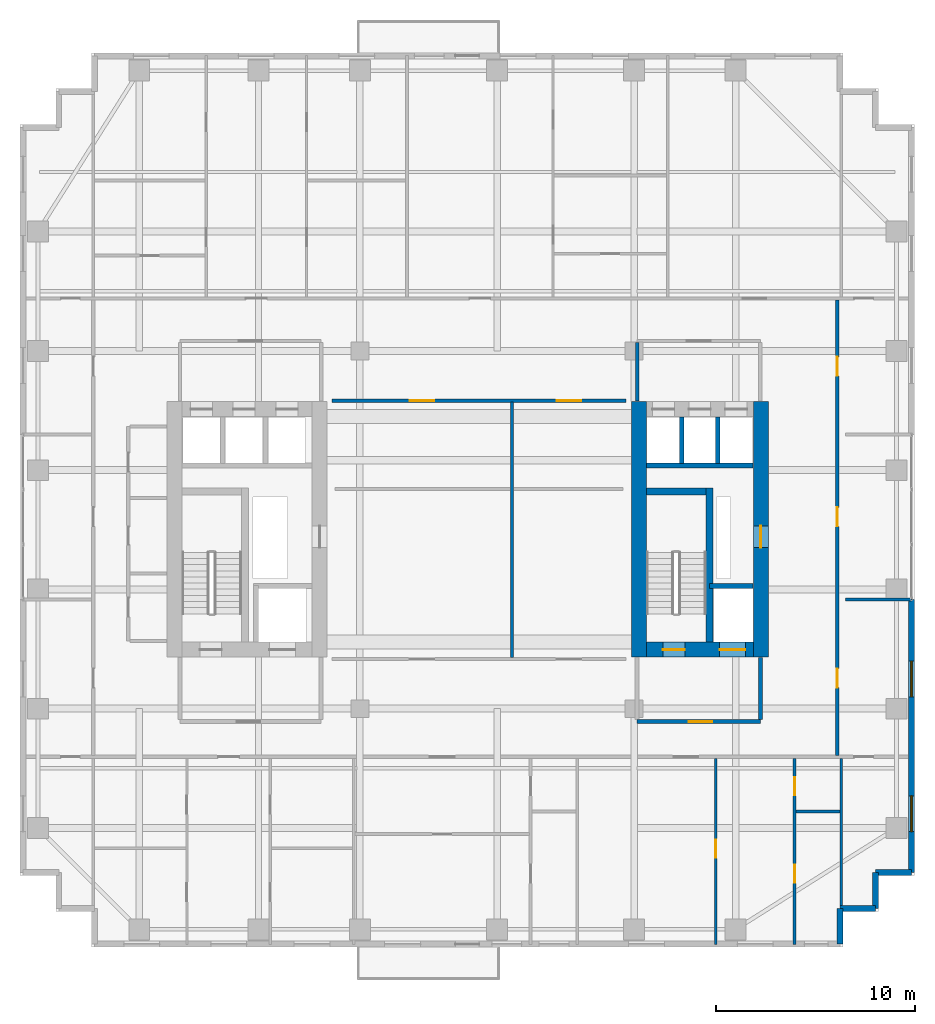
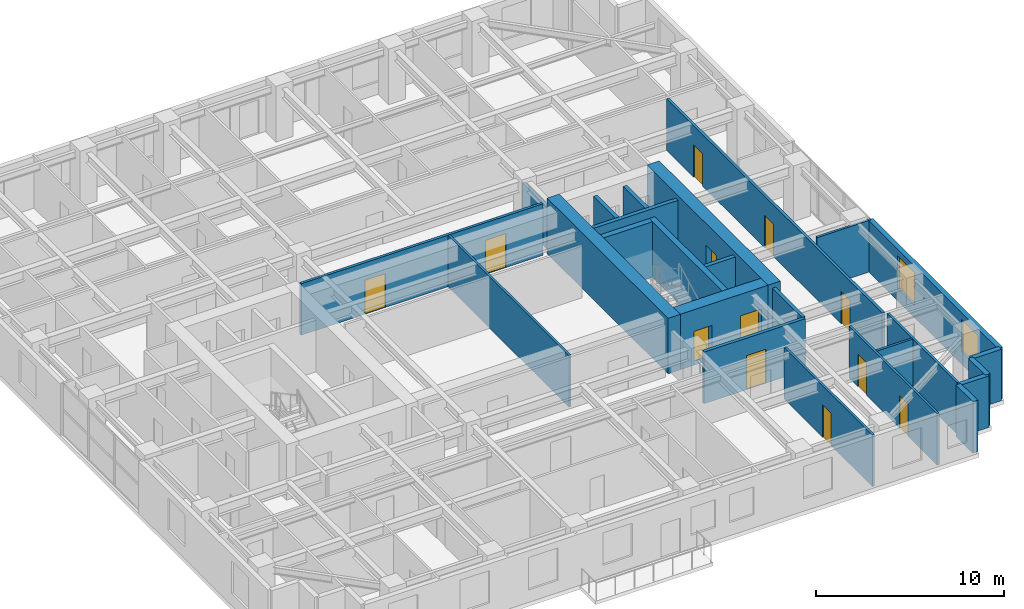
# One storey, part 9 of 13: 25 walls, 12 doors, 2 windows, 14 openings.
"""IFC4 building model written with IfcOpenShell, lengths in metres."""

from ifc_helpers import new_model, si_unit, direction, frame, frame_2d, origin, place, context, subcontext, project, spatial, rectangle, extrude, source, transform, mapped, material, layer, layer_set, type_object, element, fill, save


model = new_model("IFC4")

# Units and contexts
model_context = context("Model", 3, precision=1e-05, world=origin(), true_north=direction((0.0, 1.0)))
body_context = subcontext(model_context, "Body", "Model", "MODEL_VIEW")
ifc_project = project(units=[si_unit("LENGTHUNIT", "METRE"), si_unit("AREAUNIT", "SQUARE_METRE"), si_unit("VOLUMEUNIT", "CUBIC_METRE"), si_unit("PLANEANGLEUNIT", "RADIAN"), si_unit("MASSUNIT", "GRAM", prefix="KILO")], contexts=[model_context])

# Site, building, storey
site_placement = place(None, origin())
site = spatial("IfcSite", under=ifc_project, at=site_placement, CompositionType="ELEMENT")
building_placement = place(site_placement, origin())
building = spatial("IfcBuilding", under=site, at=building_placement, Name="Khoralis Quay Care Tower", CompositionType="ELEMENT")
storey_placement = place(building_placement, frame((0.0, 0.0, 87.300048828125)))
storey = spatial("IfcBuildingStorey", under=building, at=storey_placement, Name="L22", CompositionType="ELEMENT", Elevation=87.300048828125)

# Wall, opening, door
ifc_material_1 = material(Name="Gypsum plasterboard on acoustic metal stud")
ifc_layer_1 = layer(ifc_material_1, 0.199951171875)
ifc_layer_set_1 = layer_set([ifc_layer_1], Name="Gypsum plasterboard on acoustic metal stud")
wall_type_1 = type_object("IfcWallType", Name="WL-COMP-200", PredefinedType="PARTITIONING", material=ifc_layer_set_1)
wall_1_placement = place(storey_placement, frame((31.050048828125, 11.35009765625, 0.0), z_axis=(0.0, 0.0, 1.0), x_axis=(1.0, 0.0, 0.0)))
wall_1 = element("IfcWall", 1, at=wall_1_placement, inside=storey, type_object=wall_type_1, Name="L22 East Firefighting Lobby South Wall", PredefinedType="PARTITIONING", context=body_context, shape_type="SweptSolid", body=[
    extrude(rectangle(XDim=6.199951171875, YDim=0.199951171875, at=frame_2d((3.10009765625, 0.0))), origin(), (0.0, 0.0, 1.0), 3.33984375),
])
opening_1_placement = place(wall_1_placement, frame((2.585693359375, 0.0, 0.0)))
opening_1 = element("IfcOpeningElement", 2, at=opening_1_placement, cuts=wall_1, Name="Opening FD1", PredefinedType="OPENING", context=body_context, shape_type="SweptSolid", body=[
    extrude(rectangle(XDim=1.199951171875, YDim=2.199951171875, at=frame_2d((0.60009765625, 1.10009765625))), frame((0.0, 0.10986328125, 0.0), z_axis=(0.0, -1.0, 0.0), x_axis=(1.0, 0.0, 0.0)), (0.0, 0.0, 1.0), 0.219970703125),
])
ifc_material_2 = material(Name="Fire-rated painted steel", Category="steel")
door_type_1 = type_object("IfcDoorType", Name="DR-FFL-1200X2200", OperationType="NOTDEFINED", PredefinedType="DOOR", material=ifc_material_2)
shared_shape_1 = source(origin(), body_context, "Body", "SweptSolid", [
    extrude(rectangle(XDim=1.199951171875, YDim=2.199951171875, at=frame_2d((0.60009765625, 1.10009765625))), frame((0.0, 0.02490234375, 0.0), z_axis=(0.0, -1.0, 0.0), x_axis=(1.0, 0.0, 0.0)), (0.0, 0.0, 1.0), 0.050048828125),
])
door_1_placement = place(opening_1_placement, origin())
door_1 = element("IfcDoor", 3, at=door_1_placement, inside=storey, type_object=door_type_1, Name="L22 East Firefighting Lobby Fire Door", OperationType="SINGLE_SWING_LEFT", OverallHeight=2.199951171875, OverallWidth=1.199951171875, PredefinedType="DOOR", context=body_context, shape_type="MappedRepresentation", body=[
    mapped(shared_shape_1, transform((0.0, 0.0, 0.0), scale=1.0)),
])
fill(opening_1, door_1)

# Walls
wall_2_placement = place(storey_placement, frame((37.25, 11.445068359375, 0.0), z_axis=(0.0, 0.0, 1.0), x_axis=(0.0, 1.0, 0.0)))
element("IfcWall", 4, at=wall_2_placement, inside=storey, type_object=wall_type_1, Name="L22 East Firefighting Lobby East Wall", PredefinedType="PARTITIONING", context=body_context, shape_type="SweptSolid", body=[
    extrude(rectangle(XDim=3.135009765625, YDim=0.199951171875, at=frame_2d((1.5673828125, 0.0))), origin(), (0.0, 0.0, 1.0), 3.33984375),
])
ifc_material_3 = material(Name="Concrete C80/95", Category="concrete")
ifc_layer_2 = layer(ifc_material_3, 0.75)
ifc_layer_set_2 = layer_set([ifc_layer_2], Name="Concrete C80/95")
wall_type_2 = type_object("IfcWallType", Name="WL-CORE-750", PredefinedType="SHEAR", material=ifc_layer_set_2)
wall_3_placement = place(storey_placement, frame((31.14501953125, 14.60009765625, 0.0), z_axis=(0.0, 0.0, 1.0), x_axis=(0.0, 1.0, 0.0)))
element("IfcWall", 5, at=wall_3_placement, inside=storey, type_object=wall_type_2, Name="L22 ECORE West Shear Wall", PredefinedType="SHEAR", context=body_context, shape_type="SweptSolid", body=[
    extrude(rectangle(XDim=12.849853515625, YDim=0.75, at=frame_2d((6.4248046875, 0.0))), origin(), (0.0, 0.0, 1.0), 3.599853515625),
])

# Wall, opening, door
wall_4_placement = place(storey_placement, frame((37.27490234375, 14.60009765625, 0.0), z_axis=(0.0, 0.0, 1.0), x_axis=(0.0, 1.0, 0.0)))
wall_4 = element("IfcWall", 6, at=wall_4_placement, inside=storey, type_object=wall_type_2, Name="L22 ECORE East Shear Wall", PredefinedType="SHEAR", context=body_context, shape_type="SweptSolid", body=[
    extrude(rectangle(XDim=12.849853515625, YDim=0.75, at=frame_2d((6.4248046875, 0.0))), origin(), (0.0, 0.0, 1.0), 3.599853515625),
])
opening_2_placement = place(wall_4_placement, frame((5.5, 0.0, 0.0)))
opening_2 = element("IfcOpeningElement", 7, at=opening_2_placement, cuts=wall_4, Name="Opening SD1", PredefinedType="OPENING", context=body_context, shape_type="SweptSolid", body=[
    extrude(rectangle(XDim=1.10009765625, YDim=2.199951171875, at=frame_2d((0.550048828125, 1.10009765625))), frame((0.0, 0.385009765625, 0.0), z_axis=(0.0, -1.0, 0.0), x_axis=(1.0, 0.0, 0.0)), (0.0, 0.0, 1.0), 0.77001953125),
])
door_type_2 = type_object("IfcDoorType", Name="DR-STAIR-1100X2200", OperationType="NOTDEFINED", PredefinedType="DOOR", material=ifc_material_2)
shared_shape_2 = source(origin(), body_context, "Body", "SweptSolid", [
    extrude(rectangle(XDim=1.10009765625, YDim=2.199951171875, at=frame_2d((0.550048828125, 1.10009765625))), frame((0.0, 0.02490234375, 0.0), z_axis=(0.0, -1.0, 0.0), x_axis=(1.0, 0.0, 0.0)), (0.0, 0.0, 1.0), 0.050048828125),
])
door_2_placement = place(opening_2_placement, frame((1.10009765625, 0.0, 0.0), z_axis=(0.0, 0.0, 1.0), x_axis=(-1.0, 0.0, 0.0)))
door_2 = element("IfcDoor", 8, at=door_2_placement, inside=storey, type_object=door_type_2, Name="L22 East MEP Riser Door", OperationType="SINGLE_SWING_LEFT", OverallHeight=2.199951171875, OverallWidth=1.10009765625, PredefinedType="DOOR", context=body_context, shape_type="MappedRepresentation", body=[
    mapped(shared_shape_2, transform((0.0, 0.0, 0.0), scale=1.0)),
])
fill(opening_2, door_2)

# Wall, openings, doors
wall_5_placement = place(storey_placement, frame((31.52001953125, 14.97509765625, 0.0), z_axis=(0.0, 0.0, 1.0), x_axis=(1.0, 0.0, 0.0)))
wall_5 = element("IfcWall", 9, at=wall_5_placement, inside=storey, type_object=wall_type_2, Name="L22 ECORE South Shear Wall", PredefinedType="SHEAR", context=body_context, shape_type="SweptSolid", body=[
    extrude(rectangle(XDim=5.3798828125, YDim=0.75, at=frame_2d((2.68994140625, 0.0))), origin(), (0.0, 0.0, 1.0), 3.599853515625),
])
opening_3_placement = place(wall_5_placement, frame((0.830078125, 0.0, 0.0)))
opening_3 = element("IfcOpeningElement", 10, at=opening_3_placement, cuts=wall_5, Name="Opening SD1", PredefinedType="OPENING", context=body_context, shape_type="SweptSolid", body=[
    extrude(rectangle(XDim=1.10009765625, YDim=2.199951171875, at=frame_2d((0.550048828125, 1.10009765625))), frame((0.0, 0.385009765625, 0.0), z_axis=(0.0, -1.0, 0.0), x_axis=(1.0, 0.0, 0.0)), (0.0, 0.0, 1.0), 0.77001953125),
])
opening_4_placement = place(wall_5_placement, frame((3.679931640625, 0.0, 0.0)))
opening_4 = element("IfcOpeningElement", 11, at=opening_4_placement, cuts=wall_5, Name="Opening LD2", PredefinedType="OPENING", context=body_context, shape_type="SweptSolid", body=[
    extrude(rectangle(XDim=1.300048828125, YDim=2.199951171875, at=frame_2d((0.64990234375, 1.10009765625))), frame((0.0, 0.385009765625, 0.0), z_axis=(0.0, -1.0, 0.0), x_axis=(1.0, 0.0, 0.0)), (0.0, 0.0, 1.0), 0.77001953125),
])
door_3_placement = place(opening_3_placement, origin())
door_3 = element("IfcDoor", 12, at=door_3_placement, inside=storey, type_object=door_type_2, Name="L22 Stair ST-T2 Fire Door", OperationType="SINGLE_SWING_LEFT", OverallHeight=2.199951171875, OverallWidth=1.10009765625, PredefinedType="DOOR", context=body_context, shape_type="MappedRepresentation", body=[
    mapped(shared_shape_2, transform((0.0, 0.0, 0.0), scale=1.0)),
])
fill(opening_3, door_3)
ifc_material_4 = material(Name="Brushed stainless steel", Category="steel")
door_type_3 = type_object("IfcDoorType", Name="DR-LIFT-1300X2200", OperationType="SLIDING_TO_RIGHT", PredefinedType="DOOR", material=ifc_material_4)
shared_shape_3 = source(origin(), body_context, "Body", "SweptSolid", [
    extrude(rectangle(XDim=1.300048828125, YDim=2.199951171875, at=frame_2d((0.64990234375, 1.10009765625))), frame((0.0, 0.02490234375, 0.0), z_axis=(0.0, -1.0, 0.0), x_axis=(1.0, 0.0, 0.0)), (0.0, 0.0, 1.0), 0.050048828125),
])
door_4_placement = place(opening_4_placement, origin())
door_4 = element("IfcDoor", 13, at=door_4_placement, inside=storey, type_object=door_type_3, Name="L22 Firefighting Lift FFL-2 Landing Door", OperationType="SLIDING_TO_RIGHT", OverallHeight=2.199951171875, OverallWidth=1.300048828125, PredefinedType="DOOR", context=body_context, shape_type="MappedRepresentation", body=[
    mapped(shared_shape_3, transform((0.0, 0.0, 0.0), scale=1.0)),
])
fill(opening_4, door_4)

# Wall
ifc_layer_3 = layer(ifc_material_1, 0.1650390625)
ifc_layer_set_3 = layer_set([ifc_layer_3], Name="Gypsum plasterboard on acoustic metal stud")
wall_type_3 = type_object("IfcWallType", Name="WL-CORR-165", PredefinedType="PARTITIONING", material=ifc_layer_set_3)
wall_6_placement = place(storey_placement, frame((31.050048828125, 27.469970703125, 0.0), z_axis=(0.0, 0.0, 1.0), x_axis=(0.0, 1.0, 0.0)))
element("IfcWall", 14, at=wall_6_placement, inside=storey, type_object=wall_type_3, Name="L22 East Lift Lobby West Wall", PredefinedType="PARTITIONING", context=body_context, shape_type="SweptSolid", body=[
    extrude(rectangle(XDim=2.95263671875, YDim=0.1650390625, at=frame_2d((1.476318359375, 0.0))), origin(), (0.0, 0.0, 1.0), 2.723876953125),
])

# Wall, openings, doors
wall_7_placement = place(storey_placement, frame((41.1201171875, 9.657470703125, 0.0), z_axis=(0.0, 0.0, 1.0), x_axis=(0.0, 1.0, 0.0)))
wall_7 = element("IfcWall", 15, at=wall_7_placement, inside=storey, type_object=wall_type_3, Name="L22 East Loop Corridor Wall", PredefinedType="PARTITIONING", context=body_context, shape_type="SweptSolid", body=[
    extrude(rectangle(XDim=22.905029296875, YDim=0.1650390625, at=frame_2d((11.45263671875, 0.0))), origin(), (0.0, 0.0, 1.0), 3.33984375),
])
opening_5_placement = place(wall_7_placement, frame((3.407470703125, 0.0, 0.0)))
opening_5 = element("IfcOpeningElement", 16, at=opening_5_placement, cuts=wall_7, Name="Opening ID1", PredefinedType="OPENING", context=body_context, shape_type="SweptSolid", body=[
    extrude(rectangle(XDim=0.949951171875, YDim=2.10009765625, at=frame_2d((0.47509765625, 1.050048828125))), frame((0.0, 0.092529296875, 0.0), z_axis=(0.0, -1.0, 0.0), x_axis=(1.0, 0.0, 0.0)), (0.0, 0.0, 1.0), 0.18505859375),
])
opening_6_placement = place(wall_7_placement, frame((11.517578125, 0.0, 0.0)))
opening_6 = element("IfcOpeningElement", 17, at=opening_6_placement, cuts=wall_7, Name="Opening ID1", PredefinedType="OPENING", context=body_context, shape_type="SweptSolid", body=[
    extrude(rectangle(XDim=0.949951171875, YDim=2.10009765625, at=frame_2d((0.47509765625, 1.050048828125))), frame((0.0, 0.092529296875, 0.0), z_axis=(0.0, -1.0, 0.0), x_axis=(1.0, 0.0, 0.0)), (0.0, 0.0, 1.0), 0.18505859375),
])
opening_7_placement = place(wall_7_placement, frame((19.08740234375, 0.0, 0.0)))
opening_7 = element("IfcOpeningElement", 18, at=opening_7_placement, cuts=wall_7, Name="Opening ID1", PredefinedType="OPENING", context=body_context, shape_type="SweptSolid", body=[
    extrude(rectangle(XDim=0.949951171875, YDim=2.10009765625, at=frame_2d((0.47509765625, 1.050048828125))), frame((0.0, 0.092529296875, 0.0), z_axis=(0.0, -1.0, 0.0), x_axis=(1.0, 0.0, 0.0)), (0.0, 0.0, 1.0), 0.18505859375),
])
ifc_material_5 = material(Name="Acoustic hardwood timber", Category="wood")
door_type_4 = type_object("IfcDoorType", Name="DR-ROOM-950X2100", OperationType="NOTDEFINED", PredefinedType="DOOR", material=ifc_material_5)
shared_shape_4 = source(origin(), body_context, "Body", "SweptSolid", [
    extrude(rectangle(XDim=0.949951171875, YDim=2.10009765625, at=frame_2d((0.47509765625, 1.050048828125))), frame((0.0, 0.02490234375, 0.0), z_axis=(0.0, -1.0, 0.0), x_axis=(1.0, 0.0, 0.0)), (0.0, 0.0, 1.0), 0.050048828125),
])
door_5_placement = place(opening_5_placement, frame((0.949951171875, 0.0, 0.0), z_axis=(0.0, 0.0, 1.0), x_axis=(-1.0, 0.0, 0.0)))
door_5 = element("IfcDoor", 19, at=door_5_placement, inside=storey, type_object=door_type_4, Name="L22 Therapy Consultation Room Door", OperationType="SINGLE_SWING_LEFT", OverallHeight=2.10009765625, OverallWidth=0.949951171875, PredefinedType="DOOR", context=body_context, shape_type="MappedRepresentation", body=[
    mapped(shared_shape_4, transform((0.0, 0.0, 0.0), scale=1.0)),
])
fill(opening_5, door_5)
door_6_placement = place(opening_6_placement, frame((0.949951171875, 0.0, 0.0), z_axis=(0.0, 0.0, 1.0), x_axis=(-1.0, 0.0, 0.0)))
door_6 = element("IfcDoor", 20, at=door_6_placement, inside=storey, type_object=door_type_4, Name="L22 Assisted Activity Lounge Door", OperationType="SINGLE_SWING_RIGHT", OverallHeight=2.10009765625, OverallWidth=0.949951171875, PredefinedType="DOOR", context=body_context, shape_type="MappedRepresentation", body=[
    mapped(shared_shape_4, transform((0.0, 0.0, 0.0), scale=1.0)),
])
fill(opening_6, door_6)
door_7_placement = place(opening_7_placement, frame((0.949951171875, 0.0, 0.0), z_axis=(0.0, 0.0, 1.0), x_axis=(-1.0, 0.0, 0.0)))
door_7 = element("IfcDoor", 21, at=door_7_placement, inside=storey, type_object=door_type_4, Name="L22 Nurse Charting Office Door", OperationType="SINGLE_SWING_LEFT", OverallHeight=2.10009765625, OverallWidth=0.949951171875, PredefinedType="DOOR", context=body_context, shape_type="MappedRepresentation", body=[
    mapped(shared_shape_4, transform((0.0, 0.0, 0.0), scale=1.0)),
])
fill(opening_7, door_7)

wall_8_placement = place(storey_placement, frame((15.699951171875, 27.5, 0.0), z_axis=(0.0, 0.0, 1.0), x_axis=(1.0, 0.0, 0.0)))
wall_8 = element("IfcWall", 22, at=wall_8_placement, inside=storey, type_object=wall_type_3, Name="L22 Central Clinical North Wall", PredefinedType="PARTITIONING", context=body_context, shape_type="SweptSolid", body=[
    extrude(rectangle(XDim=14.800048828125, YDim=0.1650390625, at=frame_2d((7.39990234375, 0.0))), origin(), (0.0, 0.0, 1.0), 3.33984375),
])
opening_8_placement = place(wall_8_placement, frame((3.89990234375, 0.0, 0.0)))
opening_8 = element("IfcOpeningElement", 23, at=opening_8_placement, cuts=wall_8, Name="Opening CD1", PredefinedType="OPENING", context=body_context, shape_type="SweptSolid", body=[
    extrude(rectangle(XDim=1.25, YDim=2.199951171875, at=frame_2d((0.625, 1.10009765625))), frame((0.0, 0.092529296875, 0.0), z_axis=(0.0, -1.0, 0.0), x_axis=(1.0, 0.0, 0.0)), (0.0, 0.0, 1.0), 0.18505859375),
])
opening_9_placement = place(wall_8_placement, frame((11.300048828125, 0.0, 0.0)))
opening_9 = element("IfcOpeningElement", 24, at=opening_9_placement, cuts=wall_8, Name="Opening CD1", PredefinedType="OPENING", context=body_context, shape_type="SweptSolid", body=[
    extrude(rectangle(XDim=1.25, YDim=2.199951171875, at=frame_2d((0.625, 1.10009765625))), frame((0.0, 0.092529296875, 0.0), z_axis=(0.0, -1.0, 0.0), x_axis=(1.0, 0.0, 0.0)), (0.0, 0.0, 1.0), 0.18505859375),
])
door_type_5 = type_object("IfcDoorType", Name="DR-CARE-1250X2200", OperationType="NOTDEFINED", PredefinedType="DOOR", material=ifc_material_5)
shared_shape_5 = source(origin(), body_context, "Body", "SweptSolid", [
    extrude(rectangle(XDim=1.25, YDim=2.199951171875, at=frame_2d((0.625, 1.10009765625))), frame((0.0, 0.02490234375, 0.0), z_axis=(0.0, -1.0, 0.0), x_axis=(1.0, 0.0, 0.0)), (0.0, 0.0, 1.0), 0.050048828125),
])
door_8_placement = place(opening_8_placement, frame((1.25, 0.0, 0.0), z_axis=(0.0, 0.0, 1.0), x_axis=(-1.0, 0.0, 0.0)))
door_8 = element("IfcDoor", 25, at=door_8_placement, inside=storey, type_object=door_type_5, Name="L22 Library Lounge Door", OperationType="SINGLE_SWING_LEFT", OverallHeight=2.199951171875, OverallWidth=1.25, PredefinedType="DOOR", context=body_context, shape_type="MappedRepresentation", body=[
    mapped(shared_shape_5, transform((0.0, 0.0, 0.0), scale=1.0)),
])
fill(opening_8, door_8)
door_9_placement = place(opening_9_placement, frame((1.25, 0.0, 0.0), z_axis=(0.0, 0.0, 1.0), x_axis=(-1.0, 0.0, 0.0)))
door_9 = element("IfcDoor", 26, at=door_9_placement, inside=storey, type_object=door_type_5, Name="L22 Occupational Therapy Door", OperationType="SINGLE_SWING_RIGHT", OverallHeight=2.199951171875, OverallWidth=1.25, PredefinedType="DOOR", context=body_context, shape_type="MappedRepresentation", body=[
    mapped(shared_shape_5, transform((0.0, 0.0, 0.0), scale=1.0)),
])
fill(opening_9, door_9)

# Walls
ifc_material_6 = material(Name="Precast concrete C45/55", Category="concrete")
ifc_layer_4 = layer(ifc_material_6, 0.300048828125)
ifc_layer_set_4 = layer_set([ifc_layer_4], Name="Precast concrete C45/55")
wall_type_4 = type_object("IfcWallType", Name="WL-EXT-REF-300", PredefinedType="SOLIDWALL", material=ifc_layer_set_4)
for number, where, z_axis, x_axis, name in (
    (27, (41.25, 0.14990234375, 0.0), (0.0, 0.0, 1.0), (0.0, 1.0, 0.0), "L22 External Facade Wall WL-EXT-L22-P1-C1"),
    (28, (41.25, 1.949951171875, 0.0), (0.0, 0.0, 1.0), (1.0, 0.0, 0.0), "L22 External Facade Wall WL-EXT-L22-P1-C2"),
    (29, (43.050048828125, 1.949951171875, 0.0), (0.0, 0.0, 1.0), (0.0, 1.0, 0.0), "L22 External Facade Wall WL-EXT-L22-P1-C3"),
    (30, (43.050048828125, 3.75, 0.0), (0.0, 0.0, 1.0), (1.0, 0.0, 0.0), "L22 External Facade Wall WL-EXT-L22-P1-C4"),
):
    element("IfcWall", number, at=place(storey_placement, frame(where, z_axis=z_axis, x_axis=x_axis)), inside=storey, type_object=wall_type_4, Name=name, PredefinedType="SOLIDWALL", context=body_context, shape_type="SweptSolid", body=[
        extrude(rectangle(XDim=1.800048828125, YDim=0.300048828125, at=frame_2d((0.89990234375, 0.0))), origin(), (0.0, 0.0, 1.0), 3.33984375),
    ])

# Wall, openings, windows
wall_9_placement = place(storey_placement, frame((44.85009765625, 3.75, 0.0), z_axis=(0.0, 0.0, 1.0), x_axis=(0.0, 1.0, 0.0)))
wall_9 = element("IfcWall", 31, at=wall_9_placement, inside=storey, type_object=wall_type_4, Name="L22 External Facade Wall WL-EXT-L22-P1-E5A", PredefinedType="SOLIDWALL", context=body_context, shape_type="SweptSolid", body=[
    extrude(rectangle(XDim=13.75, YDim=0.300048828125, at=frame_2d((6.875, 0.0))), origin(), (0.0, 0.0, 1.0), 3.33984375),
])
opening_10_placement = place(wall_9_placement, frame((2.06494140625, 0.0, 0.800048828125)))
opening_10 = element("IfcOpeningElement", 32, at=opening_10_placement, cuts=wall_9, Name="Opening W2", PredefinedType="OPENING", context=body_context, shape_type="SweptSolid", body=[
    extrude(rectangle(XDim=1.800048828125, YDim=2.10009765625, at=frame_2d((0.89990234375, 1.050048828125))), frame((0.0, 0.16015625, 0.0), z_axis=(0.0, -1.0, 0.0), x_axis=(1.0, 0.0, 0.0)), (0.0, 0.0, 1.0), 0.320068359375),
])
opening_11_placement = place(wall_9_placement, frame((8.840087890625, 0.0, 0.800048828125)))
opening_11 = element("IfcOpeningElement", 33, at=opening_11_placement, cuts=wall_9, Name="Opening W2", PredefinedType="OPENING", context=body_context, shape_type="SweptSolid", body=[
    extrude(rectangle(XDim=1.800048828125, YDim=2.10009765625, at=frame_2d((0.89990234375, 1.050048828125))), frame((0.0, 0.16015625, 0.0), z_axis=(0.0, -1.0, 0.0), x_axis=(1.0, 0.0, 0.0)), (0.0, 0.0, 1.0), 0.320068359375),
])
ifc_material_7 = material(Name="Low-E solar-control double glazing", Category="glass")
window_type = type_object("IfcWindowType", Name="WN-POD-1800X2100", PartitioningType="SINGLE_PANEL", PredefinedType="WINDOW", material=ifc_material_7)
shared_shape_6 = source(origin(), body_context, "Body", "SweptSolid", [
    extrude(rectangle(XDim=1.800048828125, YDim=2.10009765625, at=frame_2d((0.89990234375, 1.050048828125))), frame((0.0, 0.030029296875, 0.0), z_axis=(0.0, -1.0, 0.0), x_axis=(1.0, 0.0, 0.0)), (0.0, 0.0, 1.0), 0.06005859375),
])
window_1_placement = place(opening_10_placement, origin())
window_1 = element("IfcWindow", 34, at=window_1_placement, inside=storey, type_object=window_type, Name="WN-L22-P1-E5A Facade Window 01", OverallHeight=2.10009765625, OverallWidth=1.800048828125, PartitioningType="SINGLE_PANEL", PredefinedType="WINDOW", context=body_context, shape_type="MappedRepresentation", body=[
    mapped(shared_shape_6, transform((0.0, 0.0, 0.0), scale=1.0)),
])
fill(opening_10, window_1)
window_2_placement = place(opening_11_placement, origin())
window_2 = element("IfcWindow", 35, at=window_2_placement, inside=storey, type_object=window_type, Name="WN-L22-P1-E5A Facade Window 02", OverallHeight=2.10009765625, OverallWidth=1.800048828125, PartitioningType="SINGLE_PANEL", PredefinedType="WINDOW", context=body_context, shape_type="MappedRepresentation", body=[
    mapped(shared_shape_6, transform((0.0, 0.0, 0.0), scale=1.0)),
])
fill(opening_11, window_2)

# Wall, openings, doors
ifc_material_8 = material(Name="Moisture-resistant gypsum and ceramic tile")
ifc_layer_5 = layer(ifc_material_8, 0.280029296875)
ifc_layer_set_5 = layer_set([ifc_layer_5], Name="Moisture-resistant gypsum and ceramic tile")
wall_type_5 = type_object("IfcWallType", Name="WL-PLUMB-280", PredefinedType="PLUMBINGWALL", material=ifc_layer_set_5)
wall_10_placement = place(storey_placement, frame((38.969970703125, 0.14501953125, 0.0), z_axis=(0.0, 0.0, 1.0), x_axis=(0.0, 1.0, 0.0)))
wall_10 = element("IfcWall", 36, at=wall_10_placement, inside=storey, type_object=wall_type_5, Name="L22 Care Suite 2 En-Suite Wall V", PredefinedType="PLUMBINGWALL", context=body_context, shape_type="SweptSolid", body=[
    extrude(rectangle(XDim=9.357421875, YDim=0.139892578125, at=frame_2d((4.6787109375, 0.0))), origin(), (0.0, 0.0, 1.0), 3.33984375),
])
opening_12_placement = place(wall_10_placement, frame((7.4951171875, 0.0, 0.0)))
opening_12 = element("IfcOpeningElement", 37, at=opening_12_placement, cuts=wall_10, Name="Opening WD1", PredefinedType="OPENING", context=body_context, shape_type="SweptSolid", body=[
    extrude(rectangle(XDim=0.89990234375, YDim=2.10009765625, at=frame_2d((0.449951171875, 1.050048828125))), frame((0.0, 0.080078125, 0.0), z_axis=(0.0, -1.0, 0.0), x_axis=(1.0, 0.0, 0.0)), (0.0, 0.0, 1.0), 0.159912109375),
])
opening_13_placement = place(wall_10_placement, frame((3.094970703125, 0.0, 0.0)))
opening_13 = element("IfcOpeningElement", 38, at=opening_13_placement, cuts=wall_10, Name="Opening WD1", PredefinedType="OPENING", context=body_context, shape_type="SweptSolid", body=[
    extrude(rectangle(XDim=0.89990234375, YDim=2.10009765625, at=frame_2d((0.449951171875, 1.050048828125))), frame((0.0, 0.080078125, 0.0), z_axis=(0.0, -1.0, 0.0), x_axis=(1.0, 0.0, 0.0)), (0.0, 0.0, 1.0), 0.159912109375),
])
door_type_6 = type_object("IfcDoorType", Name="DR-BATH-900X2100", OperationType="NOTDEFINED", PredefinedType="DOOR", material=ifc_material_5)
shared_shape_7 = source(origin(), body_context, "Body", "SweptSolid", [
    extrude(rectangle(XDim=0.89990234375, YDim=2.10009765625, at=frame_2d((0.449951171875, 1.050048828125))), frame((0.0, 0.02490234375, 0.0), z_axis=(0.0, -1.0, 0.0), x_axis=(1.0, 0.0, 0.0)), (0.0, 0.0, 1.0), 0.050048828125),
])
door_10_placement = place(opening_12_placement, frame((0.89990234375, 0.0, 0.0), z_axis=(0.0, 0.0, 1.0), x_axis=(-1.0, 0.0, 0.0)))
door_10 = element("IfcDoor", 39, at=door_10_placement, inside=storey, type_object=door_type_6, Name="L22 Care CENS Door", OperationType="SINGLE_SWING_LEFT", OverallHeight=2.10009765625, OverallWidth=0.89990234375, PredefinedType="DOOR", context=body_context, shape_type="MappedRepresentation", body=[
    mapped(shared_shape_7, transform((0.0, 0.0, 0.0), scale=1.0)),
])
fill(opening_12, door_10)
door_11_placement = place(opening_13_placement, frame((0.89990234375, 0.0, 0.0), z_axis=(0.0, 0.0, 1.0), x_axis=(-1.0, 0.0, 0.0)))
door_11 = element("IfcDoor", 40, at=door_11_placement, inside=storey, type_object=door_type_6, Name="L22 Care CSIT Door", OperationType="SINGLE_SWING_RIGHT", OverallHeight=2.10009765625, OverallWidth=0.89990234375, PredefinedType="DOOR", context=body_context, shape_type="MappedRepresentation", body=[
    mapped(shared_shape_7, transform((0.0, 0.0, 0.0), scale=1.0)),
])
fill(opening_13, door_11)

# Walls
wall_11_placement = place(storey_placement, frame((39.034912109375, 6.830078125, 0.0), z_axis=(0.0, 0.0, 1.0), x_axis=(1.0, 0.0, 0.0)))
element("IfcWall", 41, at=wall_11_placement, inside=storey, type_object=wall_type_5, Name="L22 Care Suite 2 En-Suite Wall H", PredefinedType="PLUMBINGWALL", context=body_context, shape_type="SweptSolid", body=[
    extrude(rectangle(XDim=2.219970703125, YDim=0.139892578125, at=frame_2d((1.10986328125, 0.0))), origin(), (0.0, 0.0, 1.0), 3.33984375),
])
ifc_material_9 = material(Name="Concrete C40/50", Category="concrete")
ifc_layer_6 = layer(ifc_material_9, 0.35009765625)
ifc_layer_set_6 = layer_set([ifc_layer_6], Name="Concrete C40/50")
wall_type_6 = type_object("IfcWallType", Name="WL-SC-CORE-350", PredefinedType="SHEAR", material=ifc_layer_set_6)
wall_12_placement = place(storey_placement, frame((34.695068359375, 15.35009765625, 0.0), z_axis=(0.0, 0.0, 1.0), x_axis=(0.0, 1.0, 0.0)))
element("IfcWall", 42, at=wall_12_placement, inside=storey, type_object=wall_type_6, Name="L22 Stair ST-T2 Shear Baffle Wall East", PredefinedType="SHEAR", context=body_context, shape_type="SweptSolid", body=[
    extrude(rectangle(XDim=7.75, YDim=0.35009765625, at=frame_2d((3.875, 0.0))), origin(), (0.0, 0.0, 1.0), 3.599853515625),
])
wall_13_placement = place(storey_placement, frame((31.52001953125, 22.925048828125, 0.0), z_axis=(0.0, 0.0, 1.0), x_axis=(1.0, 0.0, 0.0)))
element("IfcWall", 43, at=wall_13_placement, inside=storey, type_object=wall_type_6, Name="L22 Stair ST-T2 Shear Baffle Wall North", PredefinedType="SHEAR", context=body_context, shape_type="SweptSolid", body=[
    extrude(rectangle(XDim=3.0, YDim=0.35009765625, at=frame_2d((1.5, 0.0))), origin(), (0.0, 0.0, 1.0), 3.599853515625),
])
ifc_layer_7 = layer(ifc_material_1, 0.239990234375)
ifc_layer_set_7 = layer_set([ifc_layer_7], Name="Gypsum plasterboard on acoustic metal stud")
wall_type_7 = type_object("IfcWallType", Name="WL-SHAFT-240", PredefinedType="PARTITIONING", material=ifc_layer_set_7)
wall_14_placement = place(storey_placement, frame((34.679931640625, 18.169921875, 0.0), z_axis=(0.0, 0.0, 1.0), x_axis=(1.0, 0.0, 0.0)))
element("IfcWall", 44, at=wall_14_placement, inside=storey, type_object=wall_type_7, Name="L22 FFL-2 Shaft Wall North", PredefinedType="PARTITIONING", context=body_context, shape_type="SweptSolid", body=[
    extrude(rectangle(XDim=2.199951171875, YDim=0.239990234375, at=frame_2d((1.10009765625, 0.0))), origin(), (0.0, 0.0, 1.0), 3.33984375),
])
wall_15_placement = place(storey_placement, frame((31.52001953125, 24.22998046875, 0.0), z_axis=(0.0, 0.0, 1.0), x_axis=(1.0, 0.0, 0.0)))
element("IfcWall", 45, at=wall_15_placement, inside=storey, type_object=wall_type_7, Name="L22 East Passenger Shaft South Wall", PredefinedType="PARTITIONING", context=body_context, shape_type="SweptSolid", body=[
    extrude(rectangle(XDim=5.35986328125, YDim=0.239990234375, at=frame_2d((2.679931640625, 0.0))), origin(), (0.0, 0.0, 1.0), 3.33984375),
])
for number, where, z_axis, x_axis, name in (
    (46, (33.2900390625, 24.344970703125, 0.0), (0.0, 0.0, 1.0), (0.0, 1.0, 0.0), "L22 East Shaft Divider 1"),
    (47, (35.110107421875, 24.344970703125, 0.0), (0.0, 0.0, 1.0), (0.0, 1.0, 0.0), "L22 East Shaft Divider 2"),
):
    element("IfcWall", number, at=place(storey_placement, frame(where, z_axis=z_axis, x_axis=x_axis)), inside=storey, type_object=wall_type_7, Name=name, PredefinedType="PARTITIONING", context=body_context, shape_type="SweptSolid", body=[
        extrude(rectangle(XDim=2.3349609375, YDim=0.239990234375, at=frame_2d((1.16748046875, 0.0))), origin(), (0.0, 0.0, 1.0), 3.33984375),
    ])
ifc_layer_8 = layer(ifc_material_1, 0.139892578125)
ifc_layer_set_8 = layer_set([ifc_layer_8], Name="Gypsum plasterboard on acoustic metal stud")
wall_type_8 = type_object("IfcWallType", Name="WL-UNIT-140", PredefinedType="PARTITIONING", material=ifc_layer_set_8)
wall_16_placement = place(storey_placement, frame((41.5400390625, 17.5, 0.0), z_axis=(0.0, 0.0, 1.0), x_axis=(1.0, 0.0, 0.0)))
element("IfcWall", 48, at=wall_16_placement, inside=storey, type_object=wall_type_8, Name="L22 EE Divider 1", PredefinedType="PARTITIONING", context=body_context, shape_type="SweptSolid", body=[
    extrude(rectangle(XDim=3.31494140625, YDim=0.139892578125, at=frame_2d((1.657470703125, 0.0))), origin(), (0.0, 0.0, 1.0), 3.33984375),
])
wall_17_placement = place(storey_placement, frame((24.75, 14.577392578125, 0.0), z_axis=(0.0, 0.0, 1.0), x_axis=(0.0, 1.0, 0.0)))
element("IfcWall", 49, at=wall_17_placement, inside=storey, type_object=wall_type_8, Name="L22 Central Split V", PredefinedType="PARTITIONING", context=body_context, shape_type="SweptSolid", body=[
    extrude(rectangle(XDim=12.84521484375, YDim=0.139892578125, at=frame_2d((6.422607421875, 0.0))), origin(), (0.0, 0.0, 1.0), 3.33984375),
])
wall_18_placement = place(storey_placement, frame((41.320068359375, 1.945068359375, 0.0), z_axis=(0.0, 0.0, 1.0), x_axis=(0.0, 1.0, 0.0)))
element("IfcWall", 50, at=wall_18_placement, inside=storey, type_object=wall_type_8, Name="L22 SB Demising Wall 3", PredefinedType="PARTITIONING", context=body_context, shape_type="SweptSolid", body=[
    extrude(rectangle(XDim=7.557373046875, YDim=0.139892578125, at=frame_2d((3.77880859375, 0.0))), origin(), (0.0, 0.0, 1.0), 3.33984375),
])

# Wall, opening, door
wall_19_placement = place(storey_placement, frame((35.010009765625, 0.14501953125, 0.0), z_axis=(0.0, 0.0, 1.0), x_axis=(0.0, 1.0, 0.0)))
wall_19 = element("IfcWall", 51, at=wall_19_placement, inside=storey, type_object=wall_type_8, Name="Skilled Care Bedroom L22-SB2 Sub-Partition", PredefinedType="PARTITIONING", context=body_context, shape_type="SweptSolid", body=[
    extrude(rectangle(XDim=9.357421875, YDim=0.139892578125, at=frame_2d((4.6787109375, 0.0))), origin(), (0.0, 0.0, 1.0), 3.33984375),
])
opening_14_placement = place(wall_19_placement, frame((4.364990234375, 0.0, 0.0)))
opening_14 = element("IfcOpeningElement", 52, at=opening_14_placement, cuts=wall_19, Name="Opening WD1", PredefinedType="OPENING", context=body_context, shape_type="SweptSolid", body=[
    extrude(rectangle(XDim=0.89990234375, YDim=2.10009765625, at=frame_2d((0.449951171875, 1.050048828125))), frame((0.0, 0.080078125, 0.0), z_axis=(0.0, -1.0, 0.0), x_axis=(1.0, 0.0, 0.0)), (0.0, 0.0, 1.0), 0.159912109375),
])
door_12_placement = place(opening_14_placement, origin())
door_12 = element("IfcDoor", 53, at=door_12_placement, inside=storey, type_object=door_type_6, Name="Private Study & Reading Alcove ARE2 Door", OperationType="SINGLE_SWING_LEFT", OverallHeight=2.10009765625, OverallWidth=0.89990234375, PredefinedType="DOOR", context=body_context, shape_type="MappedRepresentation", body=[
    mapped(shared_shape_7, transform((0.0, 0.0, 0.0), scale=1.0)),
])
fill(opening_14, door_12)

save(model, "model.ifc")
